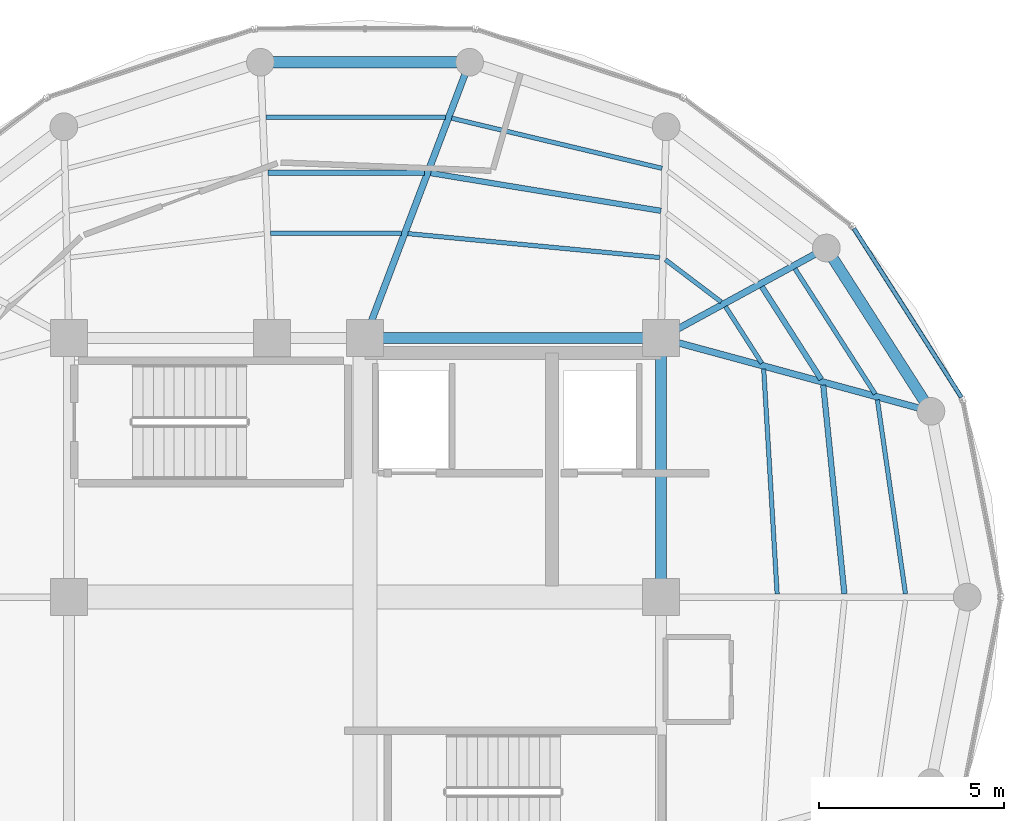
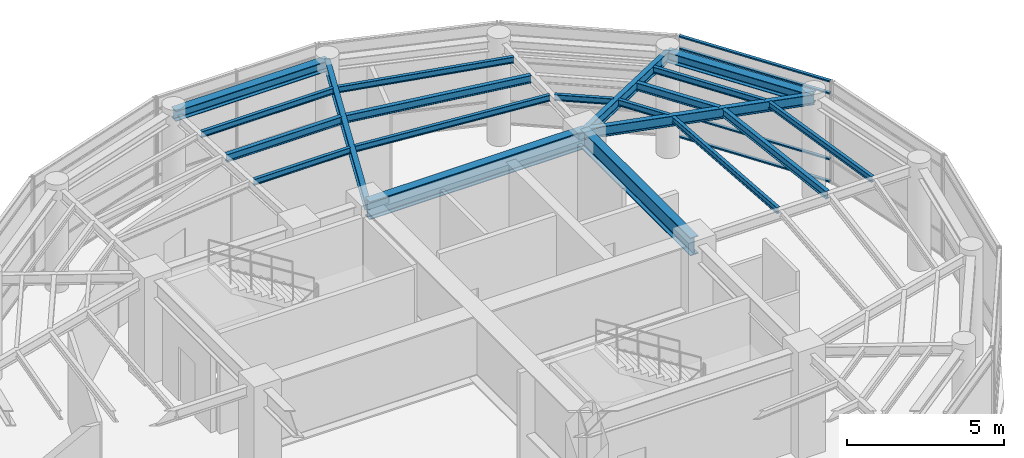
# One storey, part 12 of 19: 20 beams, 4 members, 1 element without a shape of its own.
"""IFC4 building model written with IfcOpenShell, lengths in metres."""

from ifc_helpers import new_model, si_unit, direction, frame, origin, origin_2d, place, context, subcontext, project, spatial, hollow_rectangle, i_section, extrude, material, layer, layer_set, material_profile, profile_set, type_object, element, aggregate, save


model = new_model("IFC4")

# Units and contexts
model_context = context("Model", 3, precision=1e-05, world=origin(), true_north=direction((0.0, 1.0)))
body_context = subcontext(model_context, "Body", "Model", "MODEL_VIEW")
ifc_project = project(units=[si_unit("LENGTHUNIT", "METRE"), si_unit("AREAUNIT", "SQUARE_METRE"), si_unit("VOLUMEUNIT", "CUBIC_METRE"), si_unit("PLANEANGLEUNIT", "RADIAN"), si_unit("MASSUNIT", "GRAM", prefix="KILO")], contexts=[model_context])

# Site, building, storey
site_placement = place(None, origin())
site = spatial("IfcSite", under=ifc_project, at=site_placement, CompositionType="ELEMENT")
building_placement = place(site_placement, origin())
building = spatial("IfcBuilding", under=site, at=building_placement, Name="Kelanora Arch Commons", CompositionType="ELEMENT")
storey_placement = place(building_placement, frame((0.0, 0.0, 306.89990234375)))
storey = spatial("IfcBuildingStorey", under=building, at=storey_placement, Name="L78", CompositionType="ELEMENT", Elevation=306.89990234375)

# Beams
ifc_material_1 = material(Name="Steel S355", Category="steel")
ifc_material_profile_1 = material_profile(ifc_material_1, i_section(OverallWidth=0.300048828125, OverallDepth=0.699951171875, WebThickness=0.01708984375, FlangeThickness=0.031982421875, FilletRadius=0.027099609375, at=origin_2d()), Name="HEB700")
ifc_profile_set_1 = profile_set([ifc_material_profile_1], Name="Steel S355")
beam_type_1 = type_object("IfcBeamType", Name="BM-CORE-HDR", PredefinedType="BEAM", material=ifc_profile_set_1)
beam_1_placement = place(storey_placement, frame((82.0, 58.0, 3.630126953125), z_axis=(0.0, 1.0, 0.0), x_axis=(-1.0, 0.0, 0.0)))
element("IfcBeam", 1, at=beam_1_placement, inside=storey, type_object=beam_type_1, Name="Core Header Beam 04 L78", PredefinedType="BEAM", context=body_context, shape_type="SweptSolid", body=[
    extrude(i_section(OverallWidth=0.300048828125, OverallDepth=0.699951171875, WebThickness=0.01708984375, FlangeThickness=0.031982421875, FilletRadius=0.027099609375, at=origin_2d()), origin(), (0.0, 0.0, 1.0), 7.0),
])
beam_2_placement = place(storey_placement, frame((82.0, 65.0, 3.630126953125), z_axis=(-1.0, 0.0, 0.0), x_axis=(0.0, -1.0, 0.0)))
element("IfcBeam", 2, at=beam_2_placement, inside=storey, type_object=beam_type_1, Name="Core Header Beam 05 L78", PredefinedType="BEAM", context=body_context, shape_type="SweptSolid", body=[
    extrude(i_section(OverallWidth=0.300048828125, OverallDepth=0.699951171875, WebThickness=0.01708984375, FlangeThickness=0.031982421875, FilletRadius=0.027099609375, at=origin_2d()), origin(), (0.0, 0.0, 1.0), 8.0),
])
ifc_material_profile_2 = material_profile(ifc_material_1, i_section(OverallWidth=0.14990234375, OverallDepth=0.300048828125, WebThickness=0.007080078125, FlangeThickness=0.0107421875, FilletRadius=0.014892578125, at=origin_2d()), Name="IPE300")
ifc_profile_set_2 = profile_set([ifc_material_profile_2], Name="Steel S355")
beam_type_2 = type_object("IfcBeamType", Name="BM-JST-01", PredefinedType="JOIST", material=ifc_profile_set_2)
beam_3_placement = place(storey_placement, frame((86.95947265625, 58.084716796875, 3.830078125), z_axis=(-0.100846008885, 0.994902046682, 0.0), x_axis=(-0.994902046682, -0.100846008885, 0.0)))
element("IfcBeam", 3, at=beam_3_placement, inside=storey, type_object=beam_type_2, Name="Secondary Chord Joist BJB-00 L78", PredefinedType="JOIST", context=body_context, shape_type="SweptSolid", body=[
    extrude(i_section(OverallWidth=0.14990234375, OverallDepth=0.300048828125, WebThickness=0.007080078125, FlangeThickness=0.0107421875, FilletRadius=0.014892578125, at=origin_2d()), origin(), (0.0, 0.0, 1.0), 5.672119140625),
])
beam_4_placement = place(storey_placement, frame((86.3330078125, 63.884033203125, 3.830078125), z_axis=(-0.539193378054, 0.84218198809, 0.0), x_axis=(-0.84218198809, -0.539193378054, 0.0)))
element("IfcBeam", 4, at=beam_4_placement, inside=storey, type_object=beam_type_2, Name="Secondary Chord Joist BJB-02 L78", PredefinedType="JOIST", context=body_context, shape_type="SweptSolid", body=[
    extrude(i_section(OverallWidth=0.14990234375, OverallDepth=0.300048828125, WebThickness=0.007080078125, FlangeThickness=0.0107421875, FilletRadius=0.014892578125, at=origin_2d()), origin(), (0.0, 0.0, 1.0), 2.975830078125),
])
beam_5_placement = place(storey_placement, frame((82.0, 68.441650390625, 3.830078125), z_axis=(-0.986849654094, 0.16164083709, 0.0), x_axis=(-0.16164083709, -0.986849654094, 0.0)))
element("IfcBeam", 5, at=beam_5_placement, inside=storey, type_object=beam_type_2, Name="Secondary Chord Joist BJB-06 L78", PredefinedType="JOIST", context=body_context, shape_type="SweptSolid", body=[
    extrude(i_section(OverallWidth=0.14990234375, OverallDepth=0.300048828125, WebThickness=0.007080078125, FlangeThickness=0.0107421875, FilletRadius=0.014892578125, at=origin_2d()), origin(), (0.0, 0.0, 1.0), 6.302734375),
])
beam_6_placement = place(storey_placement, frame((75.611083984375, 69.47412109375, 3.830078125), z_axis=(-1.0, 0.0, 0.0), x_axis=(0.0, -1.0, 0.0)))
element("IfcBeam", 6, at=beam_6_placement, inside=storey, type_object=beam_type_2, Name="Secondary Chord Joist BJB-08 L78", PredefinedType="JOIST", context=body_context, shape_type="SweptSolid", body=[
    extrude(i_section(OverallWidth=0.14990234375, OverallDepth=0.300048828125, WebThickness=0.007080078125, FlangeThickness=0.0107421875, FilletRadius=0.014892578125, at=origin_2d()), origin(), (0.0, 0.0, 1.0), 4.230224609375),
])
ifc_material_profile_3 = material_profile(ifc_material_1, i_section(OverallWidth=0.1201171875, OverallDepth=0.239990234375, WebThickness=0.006103515625, FlangeThickness=0.009765625, FilletRadius=0.014892578125, at=origin_2d()), Name="IPE240")
ifc_profile_set_3 = profile_set([ifc_material_profile_3], Name="Steel S355")
beam_type_3 = type_object("IfcBeamType", Name="BM-JST-02", PredefinedType="JOIST", material=ifc_profile_set_3)
beam_7_placement = place(storey_placement, frame((85.141357421875, 58.084716796875, 3.860107421875), z_axis=(-0.059619828045, 0.998221155909, 0.0), x_axis=(-0.998221155909, -0.059619828045, 0.0)))
element("IfcBeam", 7, at=beam_7_placement, inside=storey, type_object=beam_type_3, Name="Secondary Chord Joist BJA-00 L78", PredefinedType="JOIST", context=body_context, shape_type="SweptSolid", body=[
    extrude(i_section(OverallWidth=0.1201171875, OverallDepth=0.239990234375, WebThickness=0.006103515625, FlangeThickness=0.009765625, FilletRadius=0.014892578125, at=origin_2d()), origin(), (0.0, 0.0, 1.0), 6.089111328125),
])
beam_8_placement = place(storey_placement, frame((88.61181640625, 58.083984375, 3.860107421875), z_axis=(-0.143489842264, 0.989651789857, 0.0), x_axis=(-0.989651789857, -0.143489842264, 0.0)))
element("IfcBeam", 8, at=beam_8_placement, inside=storey, type_object=beam_type_3, Name="Secondary Chord Joist BJC-00 L78", PredefinedType="JOIST", context=body_context, shape_type="SweptSolid", body=[
    extrude(i_section(OverallWidth=0.1201171875, OverallDepth=0.239990234375, WebThickness=0.006103515625, FlangeThickness=0.009765625, FilletRadius=0.014892578125, at=origin_2d()), origin(), (0.0, 0.0, 1.0), 5.303466796875),
])
beam_9_placement = place(storey_placement, frame((84.7275390625, 64.319580078125, 3.860107421875), z_axis=(-0.539300812993, 0.842113194947, 0.0), x_axis=(-0.842113194947, -0.539300812993, 0.0)))
element("IfcBeam", 9, at=beam_9_placement, inside=storey, type_object=beam_type_3, Name="Secondary Chord Joist BJA-02 L78", PredefinedType="JOIST", context=body_context, shape_type="SweptSolid", body=[
    extrude(i_section(OverallWidth=0.1201171875, OverallDepth=0.239990234375, WebThickness=0.006103515625, FlangeThickness=0.009765625, FilletRadius=0.014892578125, at=origin_2d()), origin(), (0.0, 0.0, 1.0), 1.822021484375),
])
beam_10_placement = place(storey_placement, frame((87.792724609375, 63.48828125, 3.860107421875), z_axis=(-0.539232732312, 0.842156790867, 0.0), x_axis=(-0.842156790867, -0.539232732312, 0.0)))
element("IfcBeam", 10, at=beam_10_placement, inside=storey, type_object=beam_type_3, Name="Secondary Chord Joist BJC-02 L78", PredefinedType="JOIST", context=body_context, shape_type="SweptSolid", body=[
    extrude(i_section(OverallWidth=0.1201171875, OverallDepth=0.239990234375, WebThickness=0.006103515625, FlangeThickness=0.009765625, FilletRadius=0.014892578125, at=origin_2d()), origin(), (0.0, 0.0, 1.0), 4.024169921875),
])
beam_11_placement = place(storey_placement, frame((83.63134765625, 65.97705078125, 3.860107421875), z_axis=(-0.797424826317, 0.603418301324, 0.0), x_axis=(-0.603418301324, -0.797424826317, 0.0)))
element("IfcBeam", 11, at=beam_11_placement, inside=storey, type_object=beam_type_3, Name="Secondary Chord Joist BJA-04 L78", PredefinedType="JOIST", context=body_context, shape_type="SweptSolid", body=[
    extrude(i_section(OverallWidth=0.1201171875, OverallDepth=0.239990234375, WebThickness=0.006103515625, FlangeThickness=0.009765625, FilletRadius=0.014892578125, at=origin_2d()), origin(), (0.0, 0.0, 1.0), 1.893798828125),
])
beam_12_placement = place(storey_placement, frame((81.968505859375, 67.17919921875, 3.860107421875), z_axis=(-0.995523661296, 0.094512643594, 0.0), x_axis=(-0.094512643594, -0.995523661296, 0.0)))
element("IfcBeam", 12, at=beam_12_placement, inside=storey, type_object=beam_type_3, Name="Secondary Chord Joist BJA-06 L78", PredefinedType="JOIST", context=body_context, shape_type="SweptSolid", body=[
    extrude(i_section(OverallWidth=0.1201171875, OverallDepth=0.239990234375, WebThickness=0.006103515625, FlangeThickness=0.009765625, FilletRadius=0.014892578125, at=origin_2d()), origin(), (0.0, 0.0, 1.0), 6.840087890625),
])
beam_13_placement = place(storey_placement, frame((82.029296875, 69.59033203125, 3.860107421875), z_axis=(-0.972733556605, 0.231925479098, 0.0), x_axis=(-0.231925479098, -0.972733556605, 0.0)))
element("IfcBeam", 13, at=beam_13_placement, inside=storey, type_object=beam_type_3, Name="Secondary Chord Joist BJC-06 L78", PredefinedType="JOIST", context=body_context, shape_type="SweptSolid", body=[
    extrude(i_section(OverallWidth=0.1201171875, OverallDepth=0.239990234375, WebThickness=0.006103515625, FlangeThickness=0.009765625, FilletRadius=0.014892578125, at=origin_2d()), origin(), (0.0, 0.0, 1.0), 5.844482421875),
])
beam_14_placement = place(storey_placement, frame((74.9892578125, 67.833740234375, 3.860107421875), z_axis=(-1.0, 0.0, 0.0), x_axis=(0.0, -1.0, 0.0)))
element("IfcBeam", 14, at=beam_14_placement, inside=storey, type_object=beam_type_3, Name="Secondary Chord Joist BJA-08 L78", PredefinedType="JOIST", context=body_context, shape_type="SweptSolid", body=[
    extrude(i_section(OverallWidth=0.1201171875, OverallDepth=0.239990234375, WebThickness=0.006103515625, FlangeThickness=0.009765625, FilletRadius=0.014892578125, at=origin_2d()), origin(), (0.0, 0.0, 1.0), 3.541015625),
])
beam_15_placement = place(storey_placement, frame((76.176513671875, 70.965576171875, 3.860107421875), z_axis=(-1.0, 0.0, 0.0), x_axis=(0.0, -1.0, 0.0)))
element("IfcBeam", 15, at=beam_15_placement, inside=storey, type_object=beam_type_3, Name="Secondary Chord Joist BJC-08 L78", PredefinedType="JOIST", context=body_context, shape_type="SweptSolid", body=[
    extrude(i_section(OverallWidth=0.1201171875, OverallDepth=0.239990234375, WebThickness=0.006103515625, FlangeThickness=0.009765625, FilletRadius=0.014892578125, at=origin_2d()), origin(), (0.0, 0.0, 1.0), 4.857177734375),
])
ifc_material_profile_4 = material_profile(ifc_material_1, i_section(OverallWidth=0.179931640625, OverallDepth=0.39990234375, WebThickness=0.008544921875, FlangeThickness=0.013427734375, FilletRadius=0.02099609375, at=origin_2d()), Name="IPE400")
ifc_profile_set_4 = profile_set([ifc_material_profile_4], Name="Steel S355")
beam_type_4 = type_object("IfcBeamType", Name="BM-RAD-Z5", PredefinedType="BEAM", material=ifc_profile_set_4)
beam_16_placement = place(storey_placement, frame((82.0, 65.0, 3.780029296875), z_axis=(0.965145027625, -0.26171563891, 0.0), x_axis=(0.26171563891, 0.965145027625, 0.0)))
element("IfcBeam", 16, at=beam_16_placement, inside=storey, type_object=beam_type_4, Name="Radial Floor Girder BR-02 L78", PredefinedType="BEAM", context=body_context, shape_type="SweptSolid", body=[
    extrude(i_section(OverallWidth=0.179931640625, OverallDepth=0.39990234375, WebThickness=0.008544921875, FlangeThickness=0.013427734375, FilletRadius=0.02099609375, at=origin_2d()), origin(), (0.0, 0.0, 1.0), 7.561767578125),
])
beam_17_placement = place(storey_placement, frame((82.0, 65.0, 3.780029296875), z_axis=(0.878126355987, 0.478428785631, 0.0), x_axis=(-0.478428785631, 0.878126355987, 0.0)))
element("IfcBeam", 17, at=beam_17_placement, inside=storey, type_object=beam_type_4, Name="Radial Floor Girder BR-04 L78", PredefinedType="BEAM", context=body_context, shape_type="SweptSolid", body=[
    extrude(i_section(OverallWidth=0.179931640625, OverallDepth=0.39990234375, WebThickness=0.008544921875, FlangeThickness=0.013427734375, FilletRadius=0.02099609375, at=origin_2d()), origin(), (0.0, 0.0, 1.0), 5.091796875),
])
beam_18_placement = place(storey_placement, frame((74.0, 65.0, 3.780029296875), z_axis=(0.354476114465, 0.93506506954, 0.0), x_axis=(-0.93506506954, 0.354476114465, 0.0)))
element("IfcBeam", 18, at=beam_18_placement, inside=storey, type_object=beam_type_4, Name="Radial Floor Girder BR-08 L78", PredefinedType="BEAM", context=body_context, shape_type="SweptSolid", body=[
    extrude(i_section(OverallWidth=0.179931640625, OverallDepth=0.39990234375, WebThickness=0.008544921875, FlangeThickness=0.013427734375, FilletRadius=0.02099609375, at=origin_2d()), origin(), (0.0, 0.0, 1.0), 7.974853515625),
])
ifc_material_profile_5 = material_profile(ifc_material_1, i_section(OverallWidth=0.300048828125, OverallDepth=0.39990234375, WebThickness=0.013427734375, FlangeThickness=0.02392578125, FilletRadius=0.027099609375, at=origin_2d()), Name="HEB400")
ifc_profile_set_5 = profile_set([ifc_material_profile_5], Name="Steel S355")
beam_type_5 = type_object("IfcBeamType", Name="BM-SPN-Z4", PredefinedType="SPANDREL", material=ifc_profile_set_5)
beam_19_placement = place(storey_placement, frame((89.298095703125, 63.02099609375, 3.780029296875), z_axis=(-0.53922680048, 0.842160588987, 0.0), x_axis=(-0.842160588987, -0.53922680048, 0.0)))
element("IfcBeam", 19, at=beam_19_placement, inside=storey, type_object=beam_type_5, Name="Perimeter Spandrel Beam BS-02 L78", PredefinedType="SPANDREL", context=body_context, shape_type="SweptSolid", body=[
    extrude(i_section(OverallWidth=0.300048828125, OverallDepth=0.39990234375, WebThickness=0.013427734375, FlangeThickness=0.02392578125, FilletRadius=0.027099609375, at=origin_2d()), origin(), (0.0, 0.0, 1.0), 5.242431640625),
])
beam_20_placement = place(storey_placement, frame((76.826904296875, 72.45703125, 3.780029296875), z_axis=(-1.0, 0.0, 0.0), x_axis=(0.0, -1.0, 0.0)))
element("IfcBeam", 20, at=beam_20_placement, inside=storey, type_object=beam_type_5, Name="Perimeter Spandrel Beam BS-08 L78", PredefinedType="SPANDREL", context=body_context, shape_type="SweptSolid", body=[
    extrude(i_section(OverallWidth=0.300048828125, OverallDepth=0.39990234375, WebThickness=0.013427734375, FlangeThickness=0.02392578125, FilletRadius=0.027099609375, at=origin_2d()), origin(), (0.0, 0.0, 1.0), 5.65380859375),
])

# Curtain wall, members
ifc_material_2 = material(Name="Terracotta ceramic-fritted low-E glass and aluminium", Category="masonry")
ifc_layer = layer(ifc_material_2, 0.14990234375)
ifc_layer_set = layer_set([ifc_layer], Name="Terracotta ceramic-fritted low-E glass and aluminium")
curtain_wall_type = type_object("IfcCurtainWallType", Name="CW-SYS-06", PredefinedType="NOTDEFINED", material=ifc_layer_set)
curtain_wall_placement = place(storey_placement, origin())
curtain_wall = element("IfcCurtainWall", 21, at=curtain_wall_placement, inside=storey, type_object=curtain_wall_type, Name="Unitised Curtain Wall L78-B01", PredefinedType="NOTDEFINED")
ifc_material_3 = material(Name="Powder-coated aluminium terracotta", Category="masonry")
ifc_material_profile_6 = material_profile(ifc_material_3, hollow_rectangle(XDim=0.1201171875, YDim=0.06005859375, WallThickness=0.0048828125, InnerFilletRadius=0.0048828125, OuterFilletRadius=0.010009765625, at=origin_2d()), Name="CWT120x60")
ifc_profile_set_6 = profile_set([ifc_material_profile_6], Name="Powder-coated aluminium terracotta")
member_type = type_object("IfcMemberType", Name="CWT-STD", PredefinedType="USERDEFINED", material=ifc_profile_set_6)
member_1_placement = place(storey_placement, frame((90.122314453125, 63.39892578125, 0.030029296875), z_axis=(-0.536992252766, 0.843587174197, 0.0), x_axis=(-0.843587174197, -0.536992252766, 0.0)))
member_1 = element("IfcMember", 22, at=member_1_placement, type_object=member_type, Name="CW-06 transom 1.1", ObjectType="TRANSOM", PredefinedType="USERDEFINED", context=body_context, shape_type="SweptSolid", body=[
    extrude(hollow_rectangle(XDim=0.1201171875, YDim=0.06005859375, WallThickness=0.0048828125, InnerFilletRadius=0.0048828125, OuterFilletRadius=0.010009765625, at=origin_2d()), origin(), (0.0, 0.0, 1.0), 5.41162109375),
])
member_2_placement = place(storey_placement, frame((90.122314453125, 63.39892578125, 0.900146484375), z_axis=(-0.536992252766, 0.843587174197, 0.0), x_axis=(-0.843587174197, -0.536992252766, 0.0)))
member_2 = element("IfcMember", 23, at=member_2_placement, type_object=member_type, Name="CW-06 transom 1.2", ObjectType="TRANSOM", PredefinedType="USERDEFINED", context=body_context, shape_type="SweptSolid", body=[
    extrude(hollow_rectangle(XDim=0.1201171875, YDim=0.06005859375, WallThickness=0.0048828125, InnerFilletRadius=0.0048828125, OuterFilletRadius=0.010009765625, at=origin_2d()), origin(), (0.0, 0.0, 1.0), 5.41162109375),
])
member_3_placement = place(storey_placement, frame((90.122314453125, 63.39892578125, 3.465087890625), z_axis=(-0.536992252766, 0.843587174197, 0.0), x_axis=(-0.843587174197, -0.536992252766, 0.0)))
member_3 = element("IfcMember", 24, at=member_3_placement, type_object=member_type, Name="CW-06 transom 1.3", ObjectType="TRANSOM", PredefinedType="USERDEFINED", context=body_context, shape_type="SweptSolid", body=[
    extrude(hollow_rectangle(XDim=0.1201171875, YDim=0.06005859375, WallThickness=0.0048828125, InnerFilletRadius=0.0048828125, OuterFilletRadius=0.010009765625, at=origin_2d()), origin(), (0.0, 0.0, 1.0), 5.41162109375),
])
member_4_placement = place(storey_placement, frame((90.122314453125, 63.39892578125, 3.93505859375), z_axis=(-0.536992252766, 0.843587174197, 0.0), x_axis=(-0.843587174197, -0.536992252766, 0.0)))
member_4 = element("IfcMember", 25, at=member_4_placement, type_object=member_type, Name="CW-06 transom 1.4", ObjectType="TRANSOM", PredefinedType="USERDEFINED", context=body_context, shape_type="SweptSolid", body=[
    extrude(hollow_rectangle(XDim=0.1201171875, YDim=0.06005859375, WallThickness=0.0048828125, InnerFilletRadius=0.0048828125, OuterFilletRadius=0.010009765625, at=origin_2d()), origin(), (0.0, 0.0, 1.0), 5.41162109375),
])
aggregate(curtain_wall, [member_1, member_2, member_3, member_4])

save(model, "model.ifc")
